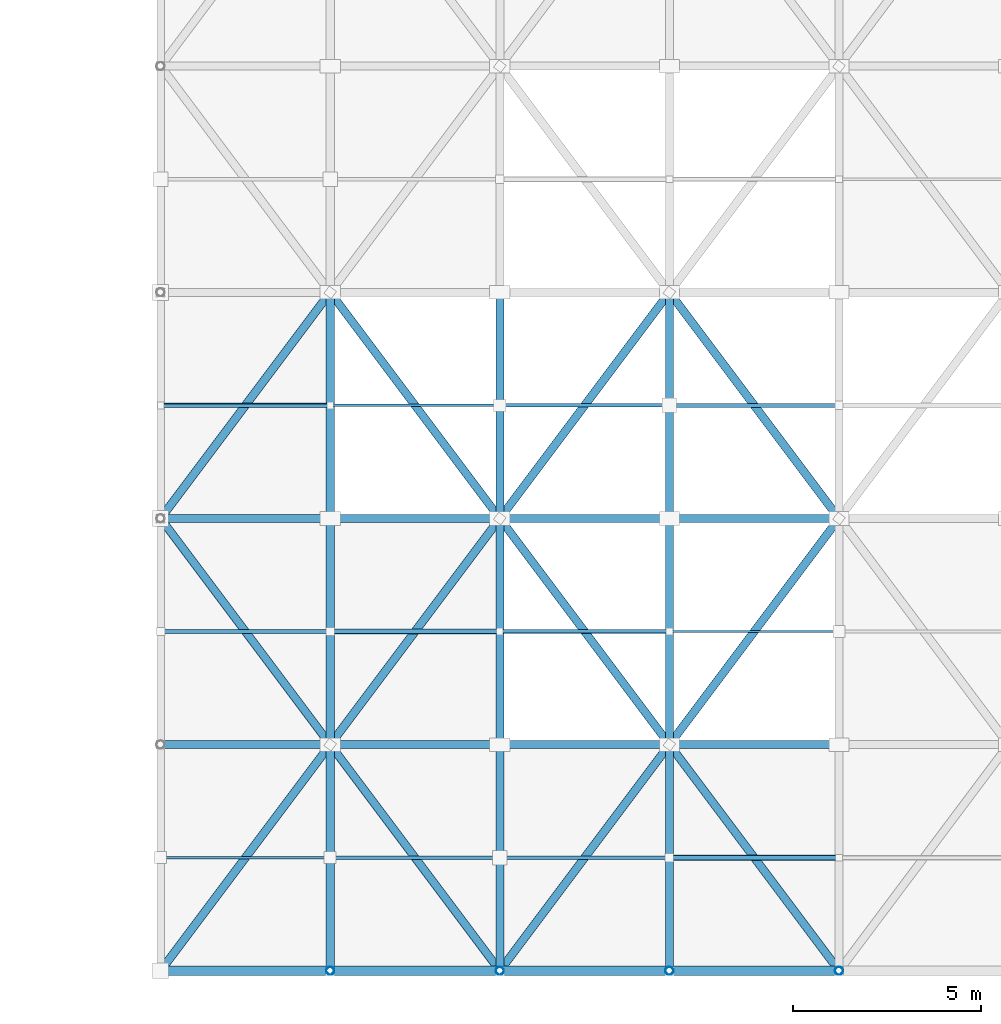
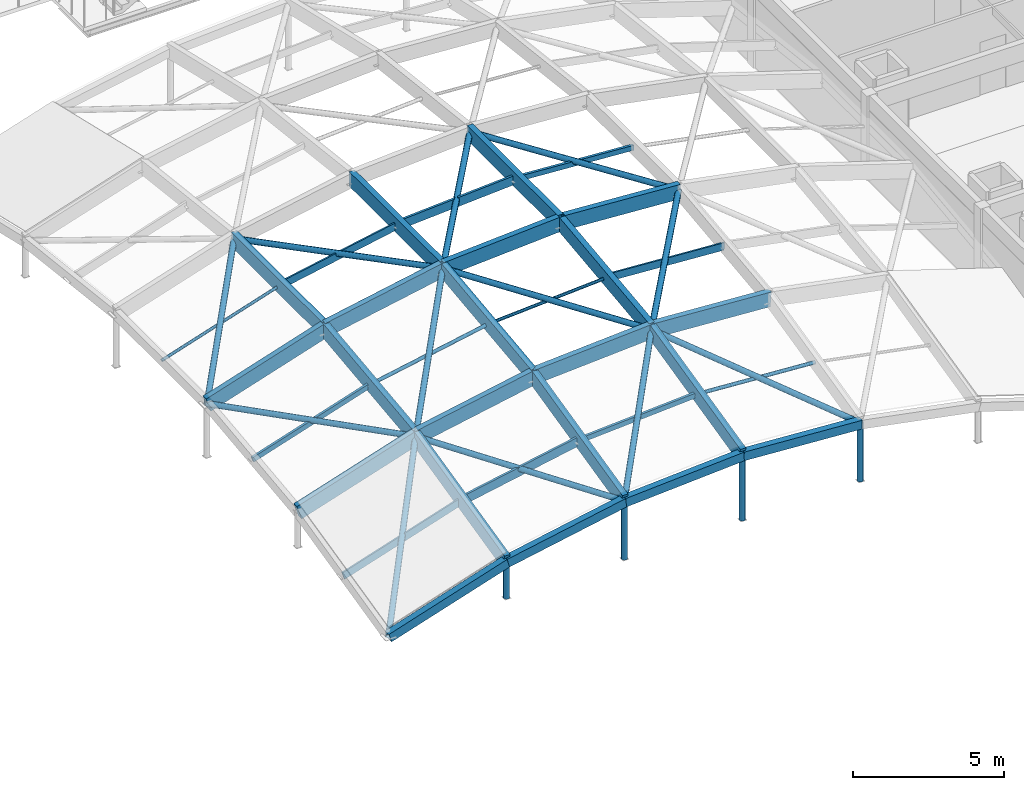
# One storey, part 15 of 81: 49 members.
"""IFC4 building model written with IfcOpenShell, lengths in metres."""

from ifc_helpers import new_model, si_unit, direction, frame, origin, origin_2d, place, context, subcontext, project, spatial, rectangle, hollow_rectangle, hollow_circle, extrude, material, material_profile, profile_set, type_object, element, save


model = new_model("IFC4")

# Units and contexts
model_context = context("Model", 3, precision=1e-05, world=origin(), true_north=direction((0.0, 1.0)))
body_context = subcontext(model_context, "Body", "Model", "MODEL_VIEW")
ifc_project = project(units=[si_unit("LENGTHUNIT", "METRE"), si_unit("AREAUNIT", "SQUARE_METRE"), si_unit("VOLUMEUNIT", "CUBIC_METRE"), si_unit("PLANEANGLEUNIT", "RADIAN"), si_unit("MASSUNIT", "GRAM", prefix="KILO")], contexts=[model_context])

# Site, building, storey
site_placement = place(None, origin())
site = spatial("IfcSite", under=ifc_project, at=site_placement, CompositionType="ELEMENT")
building_placement = place(site_placement, origin())
building = spatial("IfcBuilding", under=site, at=building_placement, Name="Marnridge Secondary College", CompositionType="ELEMENT")
storey_placement = place(building_placement, frame((0.0, 0.0, 8.5)))
storey = spatial("IfcBuildingStorey", under=building, at=storey_placement, Name="L02", CompositionType="ELEMENT", Elevation=8.5)

# Members
ifc_material_1 = material(Name="Cold-formed steel Grade C350L0 (AS/NZS 1163, fy = 350 MPa)", Category="steel")
ifc_material_profile_1 = material_profile(ifc_material_1, hollow_circle(Radius=0.109619140625, WallThickness=0.00830078125, at=origin_2d()), Name="219.1x8.2CHS")
ifc_profile_set_1 = profile_set([ifc_material_profile_1], Name="Cold-formed steel Grade C350L0 (AS/NZS 1163, fy = 350 MPa)")
member_type_1 = type_object("IfcMemberType", Name="MB-GS-CHS219", PredefinedType="BRACE", material=ifc_profile_set_1)
member_1_placement = place(storey_placement, frame((67.5, 0.0, -0.010009765625), z_axis=(0.0, 0.0, 1.0), x_axis=(1.0, 0.0, 0.0)))
element("IfcMember", 1, at=member_1_placement, inside=storey, type_object=member_type_1, Name="Gridshell boundary post GSP-0069", PredefinedType="BRACE", context=body_context, shape_type="SweptSolid", body=[
    extrude(hollow_circle(Radius=0.109619140625, WallThickness=0.00830078125, at=origin_2d()), origin(), (0.0, 0.0, 1.0), 1.474365234375),
])
member_2_placement = place(storey_placement, frame((72.0, 0.0, -0.010009765625), z_axis=(0.0, 0.0, 1.0), x_axis=(1.0, 0.0, 0.0)))
element("IfcMember", 2, at=member_2_placement, inside=storey, type_object=member_type_1, Name="Gridshell boundary post GSP-0071", PredefinedType="BRACE", context=body_context, shape_type="SweptSolid", body=[
    extrude(hollow_circle(Radius=0.109619140625, WallThickness=0.00830078125, at=origin_2d()), origin(), (0.0, 0.0, 1.0), 2.341064453125),
])
member_3_placement = place(storey_placement, frame((76.5, 0.0, -0.010009765625), z_axis=(0.0, 0.0, 1.0), x_axis=(1.0, 0.0, 0.0)))
element("IfcMember", 3, at=member_3_placement, inside=storey, type_object=member_type_1, Name="Gridshell boundary post GSP-0073", PredefinedType="BRACE", context=body_context, shape_type="SweptSolid", body=[
    extrude(hollow_circle(Radius=0.109619140625, WallThickness=0.00830078125, at=origin_2d()), origin(), (0.0, 0.0, 1.0), 2.630126953125),
])
member_4_placement = place(storey_placement, frame((81.0, 0.0, -0.010009765625), z_axis=(0.0, 0.0, 1.0), x_axis=(1.0, 0.0, 0.0)))
element("IfcMember", 4, at=member_4_placement, inside=storey, type_object=member_type_1, Name="Gridshell boundary post GSP-0075", PredefinedType="BRACE", context=body_context, shape_type="SweptSolid", body=[
    extrude(hollow_circle(Radius=0.109619140625, WallThickness=0.00830078125, at=origin_2d()), origin(), (0.0, 0.0, 1.0), 2.341064453125),
])
member_5_placement = place(storey_placement, frame((63.0, 0.0, 0.0), z_axis=(0.560813147241, 0.747750862989, 0.355467664888), x_axis=(-0.8, 0.6, 0.0)))
element("IfcMember", 5, at=member_5_placement, inside=storey, type_object=member_type_1, Name="Gridshell member GR-0211", PredefinedType="BRACE", context=body_context, shape_type="SweptSolid", body=[
    extrude(hollow_circle(Radius=0.109619140625, WallThickness=0.00830078125, at=origin_2d()), origin(), (0.0, 0.0, 1.0), 8.024169921875),
])
member_6_placement = place(storey_placement, frame((67.5, 6.0, 2.852294921875), z_axis=(-0.597098795333, 0.796131727111, -0.098220678573), x_axis=(-0.8, -0.6, 0.0)))
element("IfcMember", 6, at=member_6_placement, inside=storey, type_object=member_type_1, Name="Gridshell member GR-0212", PredefinedType="BRACE", context=body_context, shape_type="SweptSolid", body=[
    extrude(hollow_circle(Radius=0.109619140625, WallThickness=0.00830078125, at=origin_2d()), origin(), (0.0, 0.0, 1.0), 7.536376953125),
])
member_7_placement = place(storey_placement, frame((63.0, 12.0, 2.112060546875), z_axis=(0.589174300139, 0.785565733518, 0.189103470031), x_axis=(-0.8, 0.6, 0.0)))
element("IfcMember", 7, at=member_7_placement, inside=storey, type_object=member_type_1, Name="Gridshell member GR-0213", PredefinedType="BRACE", context=body_context, shape_type="SweptSolid", body=[
    extrude(hollow_circle(Radius=0.109619140625, WallThickness=0.00830078125, at=origin_2d()), origin(), (0.0, 0.0, 1.0), 7.6376953125),
])
member_8_placement = place(storey_placement, frame((72.0, 0.0, 2.31103515625), z_axis=(-0.598443612157, 0.797924816209, 0.071980766501), x_axis=(-0.8, -0.6, 0.0)))
element("IfcMember", 8, at=member_8_placement, inside=storey, type_object=member_type_1, Name="Gridshell member GR-0216", PredefinedType="BRACE", context=body_context, shape_type="SweptSolid", body=[
    extrude(hollow_circle(Radius=0.109619140625, WallThickness=0.00830078125, at=origin_2d()), origin(), (0.0, 0.0, 1.0), 7.51953125),
])
member_9_placement = place(storey_placement, frame((67.5, 6.0, 2.852294921875), z_axis=(0.587258145794, 0.783010861058, 0.20499234538), x_axis=(-0.8, 0.6, 0.0)))
element("IfcMember", 9, at=member_9_placement, inside=storey, type_object=member_type_1, Name="Gridshell member GR-0217", PredefinedType="BRACE", context=body_context, shape_type="SweptSolid", body=[
    extrude(hollow_circle(Radius=0.109619140625, WallThickness=0.00830078125, at=origin_2d()), origin(), (0.0, 0.0, 1.0), 7.662841796875),
])
member_10_placement = place(storey_placement, frame((72.0, 12.0, 4.423095703125), z_axis=(-0.596033456409, 0.794711275212, -0.114795940226), x_axis=(-0.8, -0.6, 0.0)))
element("IfcMember", 10, at=member_10_placement, inside=storey, type_object=member_type_1, Name="Gridshell member GR-0218", PredefinedType="BRACE", context=body_context, shape_type="SweptSolid", body=[
    extrude(hollow_circle(Radius=0.109619140625, WallThickness=0.00830078125, at=origin_2d()), origin(), (0.0, 0.0, 1.0), 7.5498046875),
])
member_11_placement = place(storey_placement, frame((72.0, 0.0, 2.31103515625), z_axis=(0.585206320304, 0.780275093739, 0.220690599633), x_axis=(-0.8, 0.6, 0.0)))
element("IfcMember", 11, at=member_11_placement, inside=storey, type_object=member_type_1, Name="Gridshell member GR-0221", PredefinedType="BRACE", context=body_context, shape_type="SweptSolid", body=[
    extrude(hollow_circle(Radius=0.109619140625, WallThickness=0.00830078125, at=origin_2d()), origin(), (0.0, 0.0, 1.0), 7.689697265625),
])
member_12_placement = place(storey_placement, frame((76.5, 6.0, 4.008056640625), z_axis=(-0.599083398424, 0.798777864566, 0.055254002676), x_axis=(-0.8, -0.6, 0.0)))
element("IfcMember", 12, at=member_12_placement, inside=storey, type_object=member_type_1, Name="Gridshell member GR-0222", PredefinedType="BRACE", context=body_context, shape_type="SweptSolid", body=[
    extrude(hollow_circle(Radius=0.109619140625, WallThickness=0.00830078125, at=origin_2d()), origin(), (0.0, 0.0, 1.0), 7.511474609375),
])
member_13_placement = place(storey_placement, frame((72.0, 12.0, 4.423095703125), z_axis=(0.599555608625, 0.799407478167, 0.038480592719), x_axis=(-0.8, 0.6, 0.0)))
element("IfcMember", 13, at=member_13_placement, inside=storey, type_object=member_type_1, Name="Gridshell member GR-0223", PredefinedType="BRACE", context=body_context, shape_type="SweptSolid", body=[
    extrude(hollow_circle(Radius=0.109619140625, WallThickness=0.00830078125, at=origin_2d()), origin(), (0.0, 0.0, 1.0), 7.505615234375),
])
member_14_placement = place(storey_placement, frame((81.0, 0.0, 2.31103515625), z_axis=(-0.585206320304, 0.780275093739, 0.220690599633), x_axis=(-0.8, -0.6, 0.0)))
element("IfcMember", 14, at=member_14_placement, inside=storey, type_object=member_type_1, Name="Gridshell member GR-0226", PredefinedType="BRACE", context=body_context, shape_type="SweptSolid", body=[
    extrude(hollow_circle(Radius=0.109619140625, WallThickness=0.00830078125, at=origin_2d()), origin(), (0.0, 0.0, 1.0), 7.689697265625),
])
member_15_placement = place(storey_placement, frame((76.5, 6.0, 4.008056640625), z_axis=(0.599083398424, 0.798777864566, 0.055254002676), x_axis=(-0.8, 0.6, 0.0)))
element("IfcMember", 15, at=member_15_placement, inside=storey, type_object=member_type_1, Name="Gridshell member GR-0227", PredefinedType="BRACE", context=body_context, shape_type="SweptSolid", body=[
    extrude(hollow_circle(Radius=0.109619140625, WallThickness=0.00830078125, at=origin_2d()), origin(), (0.0, 0.0, 1.0), 7.511474609375),
])
member_16_placement = place(storey_placement, frame((81.0, 12.0, 4.423095703125), z_axis=(-0.599555608625, 0.799407478167, 0.038480592719), x_axis=(-0.8, -0.6, 0.0)))
element("IfcMember", 16, at=member_16_placement, inside=storey, type_object=member_type_1, Name="Gridshell member GR-0228", PredefinedType="BRACE", context=body_context, shape_type="SweptSolid", body=[
    extrude(hollow_circle(Radius=0.109619140625, WallThickness=0.00830078125, at=origin_2d()), origin(), (0.0, 0.0, 1.0), 7.505615234375),
])
ifc_material_2 = material(Name="Glulam timber GL18", Category="wood")
ifc_material_profile_2 = material_profile(ifc_material_2, rectangle(XDim=0.215087890625, YDim=0.5849609375, at=origin_2d()), Name="GL18 215x585")
ifc_profile_set_2 = profile_set([ifc_material_profile_2], Name="Glulam timber GL18")
member_type_2 = type_object("IfcMemberType", Name="MB-GS-GL585", PredefinedType="CHORD", material=ifc_profile_set_2)
member_17_placement = place(storey_placement, frame((67.5, 0.0, 1.4443359375), z_axis=(0.0, 0.973554667504, 0.228454173482), x_axis=(-1.0, 0.0, 0.0)))
element("IfcMember", 17, at=member_17_placement, inside=storey, type_object=member_type_2, Name="Gridshell member GR-0145", PredefinedType="CHORD", context=body_context, shape_type="SweptSolid", body=[
    extrude(rectangle(XDim=0.215087890625, YDim=0.5849609375, at=origin_2d()), origin(), (0.0, 0.0, 1.0), 6.1630859375),
])
member_18_placement = place(storey_placement, frame((67.5, 6.0, 2.852294921875), z_axis=(0.0, 0.993184767812, 0.116550491145), x_axis=(-1.0, 0.0, 0.0)))
element("IfcMember", 18, at=member_18_placement, inside=storey, type_object=member_type_2, Name="Gridshell member GR-0146", PredefinedType="CHORD", context=body_context, shape_type="SweptSolid", body=[
    extrude(rectangle(XDim=0.215087890625, YDim=0.5849609375, at=origin_2d()), origin(), (0.0, 0.0, 1.0), 6.041259765625),
])
member_19_placement = place(storey_placement, frame((67.5, 12.0, 3.556396484375), z_axis=(0.0, 1.0, 0.0), x_axis=(-1.0, 0.0, 0.0)))
element("IfcMember", 19, at=member_19_placement, inside=storey, type_object=member_type_2, Name="Gridshell member GR-0147", PredefinedType="CHORD", context=body_context, shape_type="SweptSolid", body=[
    extrude(rectangle(XDim=0.215087890625, YDim=0.5849609375, at=origin_2d()), origin(), (0.0, 0.0, 1.0), 6.0),
])
member_20_placement = place(storey_placement, frame((72.0, 0.0, 2.31103515625), z_axis=(0.0, 0.973554667504, 0.228454173482), x_axis=(-1.0, 0.0, 0.0)))
element("IfcMember", 20, at=member_20_placement, inside=storey, type_object=member_type_2, Name="Gridshell member GR-0150", PredefinedType="CHORD", context=body_context, shape_type="SweptSolid", body=[
    extrude(rectangle(XDim=0.215087890625, YDim=0.5849609375, at=origin_2d()), origin(), (0.0, 0.0, 1.0), 6.1630859375),
])
member_21_placement = place(storey_placement, frame((72.0, 6.0, 3.718994140625), z_axis=(0.0, 0.993184767812, 0.116550491145), x_axis=(-1.0, 0.0, 0.0)))
element("IfcMember", 21, at=member_21_placement, inside=storey, type_object=member_type_2, Name="Gridshell member GR-0151", PredefinedType="CHORD", context=body_context, shape_type="SweptSolid", body=[
    extrude(rectangle(XDim=0.215087890625, YDim=0.5849609375, at=origin_2d()), origin(), (0.0, 0.0, 1.0), 6.041259765625),
])
member_22_placement = place(storey_placement, frame((72.0, 12.0, 4.423095703125), z_axis=(0.0, 1.0, 0.0), x_axis=(-1.0, 0.0, 0.0)))
element("IfcMember", 22, at=member_22_placement, inside=storey, type_object=member_type_2, Name="Gridshell member GR-0152", PredefinedType="CHORD", context=body_context, shape_type="SweptSolid", body=[
    extrude(rectangle(XDim=0.215087890625, YDim=0.5849609375, at=origin_2d()), origin(), (0.0, 0.0, 1.0), 6.0),
])
member_23_placement = place(storey_placement, frame((76.5, 0.0, 2.60009765625), z_axis=(0.0, 0.973554667504, 0.228454173482), x_axis=(-1.0, 0.0, 0.0)))
element("IfcMember", 23, at=member_23_placement, inside=storey, type_object=member_type_2, Name="Gridshell member GR-0155", PredefinedType="CHORD", context=body_context, shape_type="SweptSolid", body=[
    extrude(rectangle(XDim=0.215087890625, YDim=0.5849609375, at=origin_2d()), origin(), (0.0, 0.0, 1.0), 6.1630859375),
])
member_24_placement = place(storey_placement, frame((76.5, 6.0, 4.008056640625), z_axis=(0.0, 0.993189445064, 0.116510627039), x_axis=(-1.0, 0.0, 0.0)))
element("IfcMember", 24, at=member_24_placement, inside=storey, type_object=member_type_2, Name="Gridshell member GR-0156", PredefinedType="CHORD", context=body_context, shape_type="SweptSolid", body=[
    extrude(rectangle(XDim=0.215087890625, YDim=0.5849609375, at=origin_2d()), origin(), (0.0, 0.0, 1.0), 6.041259765625),
])
member_25_placement = place(storey_placement, frame((76.5, 12.0, 4.7119140625), z_axis=(0.0, 1.0, 0.0), x_axis=(-1.0, 0.0, 0.0)))
element("IfcMember", 25, at=member_25_placement, inside=storey, type_object=member_type_2, Name="Gridshell member GR-0157", PredefinedType="CHORD", context=body_context, shape_type="SweptSolid", body=[
    extrude(rectangle(XDim=0.215087890625, YDim=0.5849609375, at=origin_2d()), origin(), (0.0, 0.0, 1.0), 6.0),
])
member_26_placement = place(storey_placement, frame((63.0, 6.0, 1.407958984375), z_axis=(0.952157472021, 0.0, 0.305607834444), x_axis=(0.0, 1.0, 0.0)))
element("IfcMember", 26, at=member_26_placement, inside=storey, type_object=member_type_2, Name="Gridshell member GR-0181", PredefinedType="CHORD", context=body_context, shape_type="SweptSolid", body=[
    extrude(rectangle(XDim=0.215087890625, YDim=0.5849609375, at=origin_2d()), origin(), (0.0, 0.0, 1.0), 4.72607421875),
])
member_27_placement = place(storey_placement, frame((67.5, 6.0, 2.852294921875), z_axis=(0.981953209644, 0.0, 0.189124017699), x_axis=(0.0, 1.0, 0.0)))
element("IfcMember", 27, at=member_27_placement, inside=storey, type_object=member_type_2, Name="Gridshell member GR-0182", PredefinedType="CHORD", context=body_context, shape_type="SweptSolid", body=[
    extrude(rectangle(XDim=0.215087890625, YDim=0.5849609375, at=origin_2d()), origin(), (0.0, 0.0, 1.0), 4.582763671875),
])
for number, where, z_axis, x_axis, name in (
    (28, (72.0, 6.0, 3.718994140625), (0.997943223953, 0.0, 0.064103991816), (0.0, 1.0, 0.0), "Gridshell member GR-0183"),
    (29, (76.5, 6.0, 4.008056640625), (0.997943223953, 0.0, -0.064103991816), (0.0, 1.0, 0.0), "Gridshell member GR-0184"),
):
    element("IfcMember", number, at=place(storey_placement, frame(where, z_axis=z_axis, x_axis=x_axis)), inside=storey, type_object=member_type_2, Name=name, PredefinedType="CHORD", context=body_context, shape_type="SweptSolid", body=[
        extrude(rectangle(XDim=0.215087890625, YDim=0.5849609375, at=origin_2d()), origin(), (0.0, 0.0, 1.0), 4.50927734375),
    ])
member_28_placement = place(storey_placement, frame((63.0, 12.0, 2.112060546875), z_axis=(0.952157472021, 0.0, 0.305607834444), x_axis=(0.0, 1.0, 0.0)))
element("IfcMember", 30, at=member_28_placement, inside=storey, type_object=member_type_2, Name="Gridshell member GR-0187", PredefinedType="CHORD", context=body_context, shape_type="SweptSolid", body=[
    extrude(rectangle(XDim=0.215087890625, YDim=0.5849609375, at=origin_2d()), origin(), (0.0, 0.0, 1.0), 4.72607421875),
])
member_29_placement = place(storey_placement, frame((67.5, 12.0, 3.556396484375), z_axis=(0.981953209644, 0.0, 0.189124017699), x_axis=(0.0, 1.0, 0.0)))
element("IfcMember", 31, at=member_29_placement, inside=storey, type_object=member_type_2, Name="Gridshell member GR-0188", PredefinedType="CHORD", context=body_context, shape_type="SweptSolid", body=[
    extrude(rectangle(XDim=0.215087890625, YDim=0.5849609375, at=origin_2d()), origin(), (0.0, 0.0, 1.0), 4.582763671875),
])
for number, where, z_axis, x_axis, name in (
    (32, (72.0, 12.0, 4.423095703125), (0.997946686081, 0.0, 0.064050072137), (0.0, 1.0, 0.0), "Gridshell member GR-0189"),
    (33, (76.5, 12.0, 4.7119140625), (0.997946686081, 0.0, -0.064050072137), (0.0, 1.0, 0.0), "Gridshell member GR-0190"),
):
    element("IfcMember", number, at=place(storey_placement, frame(where, z_axis=z_axis, x_axis=x_axis)), inside=storey, type_object=member_type_2, Name=name, PredefinedType="CHORD", context=body_context, shape_type="SweptSolid", body=[
        extrude(rectangle(XDim=0.215087890625, YDim=0.5849609375, at=origin_2d()), origin(), (0.0, 0.0, 1.0), 4.50927734375),
    ])
ifc_material_3 = material(Name="Cold-formed steel Grade C350L0 (AS/NZS 1163, fy = 350 MPa)", Category="steel")
ifc_material_profile_3 = material_profile(ifc_material_3, hollow_rectangle(XDim=0.25, YDim=0.35009765625, WallThickness=0.010009765625, at=origin_2d()), Name="350x250x10.0RHS")
ifc_profile_set_3 = profile_set([ifc_material_profile_3], Name="Cold-formed steel Grade C350L0 (AS/NZS 1163, fy = 350 MPa)")
member_type_3 = type_object("IfcMemberType", Name="MB-GS-RHS350", PredefinedType="CHORD", material=ifc_profile_set_3)
member_30_placement = place(storey_placement, frame((63.0, 0.0, 0.0), z_axis=(0.952157472021, 0.0, 0.305607834444), x_axis=(0.0, 1.0, 0.0)))
element("IfcMember", 34, at=member_30_placement, inside=storey, type_object=member_type_3, Name="Gridshell member GR-0175", PredefinedType="CHORD", context=body_context, shape_type="SweptSolid", body=[
    extrude(hollow_rectangle(XDim=0.25, YDim=0.35009765625, WallThickness=0.010009765625, at=origin_2d()), origin(), (0.0, 0.0, 1.0), 4.72607421875),
])
member_31_placement = place(storey_placement, frame((67.5, 0.0, 1.4443359375), z_axis=(0.981953209644, 0.0, 0.189124017699), x_axis=(0.0, 1.0, 0.0)))
element("IfcMember", 35, at=member_31_placement, inside=storey, type_object=member_type_3, Name="Gridshell member GR-0176", PredefinedType="CHORD", context=body_context, shape_type="SweptSolid", body=[
    extrude(hollow_rectangle(XDim=0.25, YDim=0.35009765625, WallThickness=0.010009765625, at=origin_2d()), origin(), (0.0, 0.0, 1.0), 4.582763671875),
])
for number, where, z_axis, x_axis, name in (
    (36, (72.0, 0.0, 2.31103515625), (0.997943223953, 0.0, 0.064103991816), (0.0, 1.0, 0.0), "Gridshell member GR-0177"),
    (37, (76.5, 0.0, 2.60009765625), (0.997943223953, 0.0, -0.064103991816), (0.0, 1.0, 0.0), "Gridshell member GR-0178"),
):
    element("IfcMember", number, at=place(storey_placement, frame(where, z_axis=z_axis, x_axis=x_axis)), inside=storey, type_object=member_type_3, Name=name, PredefinedType="CHORD", context=body_context, shape_type="SweptSolid", body=[
        extrude(hollow_rectangle(XDim=0.25, YDim=0.35009765625, WallThickness=0.010009765625, at=origin_2d()), origin(), (0.0, 0.0, 1.0), 4.50927734375),
    ])
ifc_material_4 = material(Name="Cold-formed steel Grade C350L0 (AS/NZS 1163, fy = 350 MPa)", Category="steel")
ifc_material_profile_4 = material_profile(ifc_material_4, hollow_circle(Radius=0.05712890625, WallThickness=0.00439453125, at=origin_2d()), Name="114.3x4.5CHS")
ifc_profile_set_4 = profile_set([ifc_material_profile_4], Name="Cold-formed steel Grade C350L0 (AS/NZS 1163, fy = 350 MPa)")
member_type_4 = type_object("IfcMemberType", Name="MB-PR-CHS114", PredefinedType="PURLIN", material=ifc_profile_set_4)
member_32_placement = place(storey_placement, frame((63.0, 15.0, 2.031982421875), z_axis=(0.952157472021, 0.0, 0.305607834444), x_axis=(0.0, 1.0, 0.0)))
element("IfcMember", 38, at=member_32_placement, inside=storey, type_object=member_type_4, Name="Gridshell purlin PR-0081", PredefinedType="PURLIN", context=body_context, shape_type="SweptSolid", body=[
    extrude(hollow_circle(Radius=0.05712890625, WallThickness=0.00439453125, at=origin_2d()), origin(), (0.0, 0.0, 1.0), 4.72607421875),
])
member_33_placement = place(storey_placement, frame((72.0, 9.0, 3.9912109375), z_axis=(0.997946686081, 0.0, 0.064050072137), x_axis=(0.0, 1.0, 0.0)))
element("IfcMember", 39, at=member_33_placement, inside=storey, type_object=member_type_4, Name="Gridshell purlin PR-0090", PredefinedType="PURLIN", context=body_context, shape_type="SweptSolid", body=[
    extrude(hollow_circle(Radius=0.05712890625, WallThickness=0.00439453125, at=origin_2d()), origin(), (0.0, 0.0, 1.0), 4.50927734375),
])
ifc_material_5 = material(Name="Cold-formed steel Grade C350L0 (AS/NZS 1163, fy = 350 MPa)", Category="steel")
ifc_material_profile_5 = material_profile(ifc_material_5, hollow_circle(Radius=0.06982421875, WallThickness=0.00537109375, at=origin_2d()), Name="139.7x5.4CHS")
ifc_profile_set_5 = profile_set([ifc_material_profile_5], Name="Cold-formed steel Grade C350L0 (AS/NZS 1163, fy = 350 MPa)")
member_type_5 = type_object("IfcMemberType", Name="MB-PR-CHS139", PredefinedType="PURLIN", material=ifc_profile_set_5)
member_34_placement = place(storey_placement, frame((67.5, 9.0, 3.12451171875), z_axis=(0.981953209644, 0.0, 0.189124017699), x_axis=(0.0, 1.0, 0.0)))
element("IfcMember", 40, at=member_34_placement, inside=storey, type_object=member_type_5, Name="Gridshell purlin PR-0085", PredefinedType="PURLIN", context=body_context, shape_type="SweptSolid", body=[
    extrude(hollow_circle(Radius=0.06982421875, WallThickness=0.00537109375, at=origin_2d()), origin(), (0.0, 0.0, 1.0), 4.582763671875),
])
member_35_placement = place(storey_placement, frame((76.5, 3.0, 3.22412109375), z_axis=(0.997943223953, 0.0, -0.064103991816), x_axis=(0.0, 1.0, 0.0)))
element("IfcMember", 41, at=member_35_placement, inside=storey, type_object=member_type_5, Name="Gridshell purlin PR-0094", PredefinedType="PURLIN", context=body_context, shape_type="SweptSolid", body=[
    extrude(hollow_circle(Radius=0.06982421875, WallThickness=0.00537109375, at=origin_2d()), origin(), (0.0, 0.0, 1.0), 4.50927734375),
])
ifc_material_6 = material(Name="Engineered timber LVL E13.2", Category="wood")
ifc_material_profile_6 = material_profile(ifc_material_6, rectangle(XDim=0.06298828125, YDim=0.300048828125, at=origin_2d()), Name="LVL 63x300")
ifc_profile_set_6 = profile_set([ifc_material_profile_6], Name="Engineered timber LVL E13.2")
member_type_6 = type_object("IfcMemberType", Name="MB-PR-LVL300", PredefinedType="PURLIN", material=ifc_profile_set_6)
member_36_placement = place(storey_placement, frame((63.0, 3.0, 0.6240234375), z_axis=(0.952157472021, 0.0, 0.305607834444), x_axis=(0.0, 1.0, 0.0)))
element("IfcMember", 42, at=member_36_placement, inside=storey, type_object=member_type_6, Name="Gridshell purlin PR-0079", PredefinedType="PURLIN", context=body_context, shape_type="SweptSolid", body=[
    extrude(rectangle(XDim=0.06298828125, YDim=0.300048828125, at=origin_2d()), origin(), (0.0, 0.0, 1.0), 4.72607421875),
])
member_37_placement = place(storey_placement, frame((67.5, 15.0, 3.476318359375), z_axis=(0.981953209644, 0.0, 0.189124017699), x_axis=(0.0, 1.0, 0.0)))
element("IfcMember", 43, at=member_37_placement, inside=storey, type_object=member_type_6, Name="Gridshell purlin PR-0086", PredefinedType="PURLIN", context=body_context, shape_type="SweptSolid", body=[
    extrude(rectangle(XDim=0.06298828125, YDim=0.300048828125, at=origin_2d()), origin(), (0.0, 0.0, 1.0), 4.582763671875),
])
member_38_placement = place(storey_placement, frame((76.5, 9.0, 4.280029296875), z_axis=(0.997946686081, 0.0, -0.064050072137), x_axis=(0.0, 1.0, 0.0)))
element("IfcMember", 44, at=member_38_placement, inside=storey, type_object=member_type_6, Name="Gridshell purlin PR-0095", PredefinedType="PURLIN", context=body_context, shape_type="SweptSolid", body=[
    extrude(rectangle(XDim=0.06298828125, YDim=0.300048828125, at=origin_2d()), origin(), (0.0, 0.0, 1.0), 4.50927734375),
])
ifc_material_7 = material(Name="Engineered timber LVL E13.2", Category="wood")
ifc_material_profile_7 = material_profile(ifc_material_7, rectangle(XDim=0.090087890625, YDim=0.360107421875, at=origin_2d()), Name="LVL 90x360")
ifc_profile_set_7 = profile_set([ifc_material_profile_7], Name="Engineered timber LVL E13.2")
member_type_7 = type_object("IfcMemberType", Name="MB-PR-LVL360", PredefinedType="PURLIN", material=ifc_profile_set_7)
member_39_placement = place(storey_placement, frame((67.5, 3.0, 2.068359375), z_axis=(0.981953209644, 0.0, 0.189124017699), x_axis=(0.0, 1.0, 0.0)))
element("IfcMember", 45, at=member_39_placement, inside=storey, type_object=member_type_7, Name="Gridshell purlin PR-0084", PredefinedType="PURLIN", context=body_context, shape_type="SweptSolid", body=[
    extrude(rectangle(XDim=0.090087890625, YDim=0.360107421875, at=origin_2d()), origin(), (0.0, 0.0, 1.0), 4.582763671875),
])
member_40_placement = place(storey_placement, frame((72.0, 15.0, 4.343017578125), z_axis=(0.997943223953, 0.0, 0.064103991816), x_axis=(0.0, 1.0, 0.0)))
element("IfcMember", 46, at=member_40_placement, inside=storey, type_object=member_type_7, Name="Gridshell purlin PR-0091", PredefinedType="PURLIN", context=body_context, shape_type="SweptSolid", body=[
    extrude(rectangle(XDim=0.090087890625, YDim=0.360107421875, at=origin_2d()), origin(), (0.0, 0.0, 1.0), 4.50927734375),
])
ifc_material_8 = material(Name="Cold-formed steel Grade C350L0 (AS/NZS 1163, fy = 350 MPa)", Category="steel")
ifc_material_profile_8 = material_profile(ifc_material_8, hollow_rectangle(XDim=0.10009765625, YDim=0.199951171875, WallThickness=0.006103515625, at=origin_2d()), Name="200x100x6.0RHS")
ifc_profile_set_8 = profile_set([ifc_material_profile_8], Name="Cold-formed steel Grade C350L0 (AS/NZS 1163, fy = 350 MPa)")
member_type_8 = type_object("IfcMemberType", Name="MB-PR-RHS200", PredefinedType="PURLIN", material=ifc_profile_set_8)
member_41_placement = place(storey_placement, frame((63.0, 9.0, 1.679931640625), z_axis=(0.952142439356, 0.0, 0.30565466654), x_axis=(0.0, 1.0, 0.0)))
element("IfcMember", 47, at=member_41_placement, inside=storey, type_object=member_type_8, Name="Gridshell purlin PR-0080", PredefinedType="PURLIN", context=body_context, shape_type="SweptSolid", body=[
    extrude(hollow_rectangle(XDim=0.10009765625, YDim=0.199951171875, WallThickness=0.006103515625, at=origin_2d()), origin(), (0.0, 0.0, 1.0), 4.72607421875),
])
for number, where, z_axis, x_axis, name in (
    (48, (72.0, 3.0, 2.93505859375), (0.997943223953, 0.0, 0.064103991816), (0.0, 1.0, 0.0), "Gridshell purlin PR-0089"),
    (49, (76.5, 15.0, 4.632080078125), (0.997943223953, 0.0, -0.064103991816), (0.0, 1.0, 0.0), "Gridshell purlin PR-0096"),
):
    element("IfcMember", number, at=place(storey_placement, frame(where, z_axis=z_axis, x_axis=x_axis)), inside=storey, type_object=member_type_8, Name=name, PredefinedType="PURLIN", context=body_context, shape_type="SweptSolid", body=[
        extrude(hollow_rectangle(XDim=0.10009765625, YDim=0.199951171875, WallThickness=0.006103515625, at=origin_2d()), origin(), (0.0, 0.0, 1.0), 4.50927734375),
    ])

save(model, "model.ifc")
